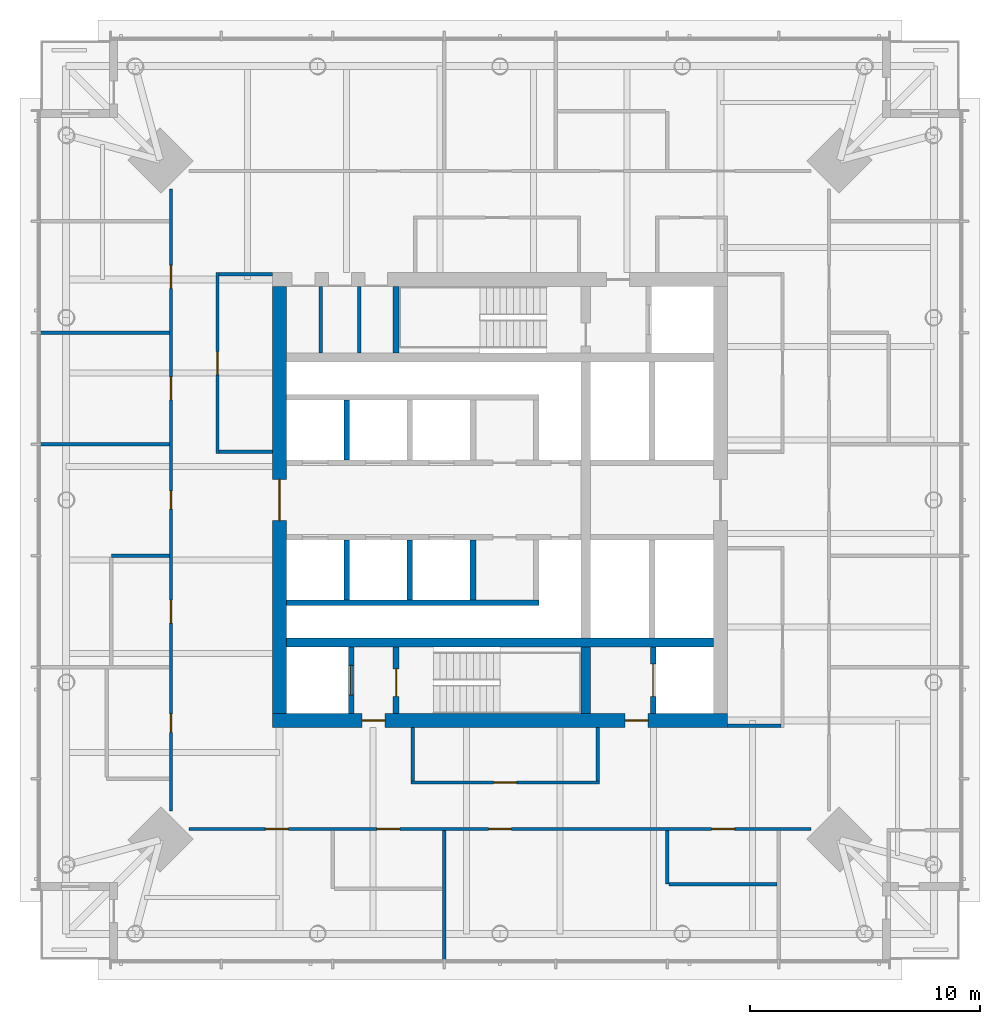
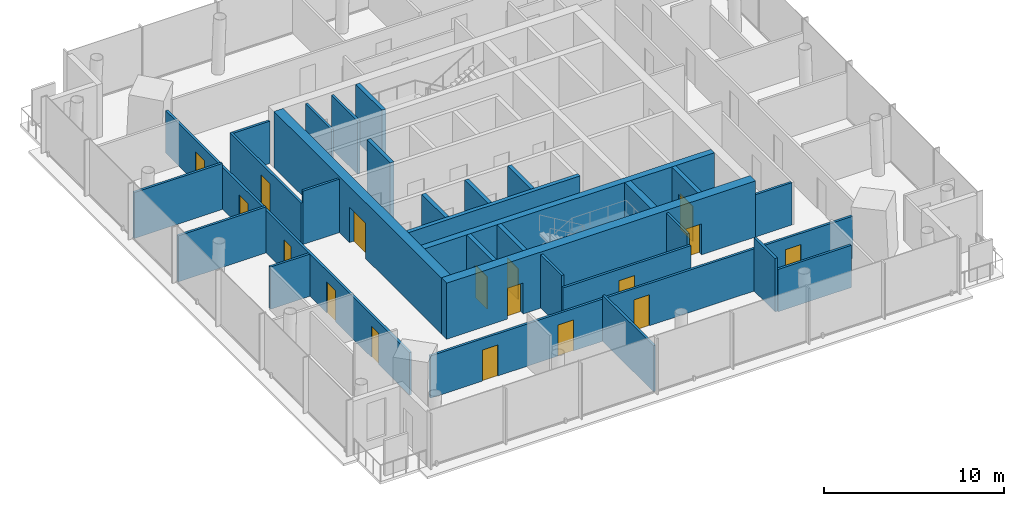
# One storey, part 4 of 10: 30 walls, 17 doors, 17 openings.
"""IFC4 building model written with IfcOpenShell, lengths in metres."""

from ifc_helpers import new_model, si_unit, direction, frame, frame_2d, origin, place, context, subcontext, project, spatial, rectangle, extrude, material, layer, layer_set, type_object, element, fill, save


model = new_model("IFC4")

# Units and contexts
model_context = context("Model", 3, precision=1e-05, world=origin(), true_north=direction((0.0, 1.0)))
body_context = subcontext(model_context, "Body", "Model", "MODEL_VIEW")
ifc_project = project(units=[si_unit("LENGTHUNIT", "METRE"), si_unit("AREAUNIT", "SQUARE_METRE"), si_unit("VOLUMEUNIT", "CUBIC_METRE"), si_unit("PLANEANGLEUNIT", "RADIAN"), si_unit("MASSUNIT", "GRAM", prefix="KILO")], contexts=[model_context])

# Site, building, storey
site_placement = place(None, origin())
site = spatial("IfcSite", under=ifc_project, at=site_placement, CompositionType="ELEMENT")
building_placement = place(site_placement, origin())
building = spatial("IfcBuilding", under=site, at=building_placement, Name="Ostroluk Exchange", CompositionType="ELEMENT")
storey_placement = place(building_placement, frame((0.0, 0.0, 180.60009765625)))
storey = spatial("IfcBuildingStorey", under=building, at=storey_placement, Name="L46", CompositionType="ELEMENT", Elevation=180.60009765625)

# Walls
ifc_material_1 = material(Name="Concrete blockwork", Category="masonry")
ifc_layer_1 = layer(ifc_material_1, 0.14990234375)
ifc_layer_set_1 = layer_set([ifc_layer_1], Name="Blockwork plant room wall 150")
wall_type_1 = type_object("IfcWallType", Name="Blockwork plant room wall 150", PredefinedType="SOLIDWALL", material=ifc_layer_set_1)
for number, where, z_axis, x_axis, name in (
    (1, (37.18798828125, 52.39990234375, 0.0), (0.0, 0.0, 1.0), (0.0, 1.0, 0.0), "Core room wall"),
    (2, (38.862060546875, 52.39990234375, 0.0), (0.0, 0.0, 1.0), (0.0, 1.0, 0.0), "Core room wall"),
):
    element("IfcWall", number, at=place(storey_placement, frame(where, z_axis=z_axis, x_axis=x_axis)), inside=storey, type_object=wall_type_1, Name=name, PredefinedType="SOLIDWALL", context=body_context, shape_type="SweptSolid", body=[
        extrude(rectangle(XDim=2.900146484375, YDim=0.14990234375, at=frame_2d((1.4501953125, 0.0))), origin(), (0.0, 0.0, 1.0), 3.619873046875),
    ])
ifc_material_2 = material(Name="Concrete C50/60", Category="concrete")
ifc_layer_2 = layer(ifc_material_2, 0.39990234375)
ifc_layer_set_2 = layer_set([ifc_layer_2], Name="Core cross wall 400 C50/60")
wall_type_2 = type_object("IfcWallType", Name="Core cross wall 400 C50/60", PredefinedType="SHEAR", material=ifc_layer_set_2)
wall_1_placement = place(storey_placement, frame((35.699951171875, 39.800048828125, 0.0), z_axis=(0.0, 0.0, 1.0), x_axis=(1.0, 0.0, 0.0)))
element("IfcWall", 3, at=wall_1_placement, inside=storey, type_object=wall_type_2, Name="T1 core wall XS", PredefinedType="SHEAR", context=body_context, shape_type="SweptSolid", body=[
    extrude(rectangle(XDim=18.60009765625, YDim=0.39990234375, at=frame_2d((9.300048828125, 0.0))), origin(), (0.0, 0.0, 1.0), 3.7998046875),
])
wall_2_placement = place(storey_placement, frame((48.72998046875, 36.699951171875, 0.0), z_axis=(0.0, 0.0, 1.0), x_axis=(0.0, 1.0, 0.0)))
element("IfcWall", 4, at=wall_2_placement, inside=storey, type_object=wall_type_2, Name="T1 core wall YE1", PredefinedType="SHEAR", context=body_context, shape_type="SweptSolid", body=[
    extrude(rectangle(XDim=2.900146484375, YDim=0.39990234375, at=frame_2d((1.4501953125, 0.0))), origin(), (0.0, 0.0, 1.0), 3.7998046875),
])

# Wall, opening, door
ifc_material_3 = material(Name="Concrete C40/50", Category="concrete")
ifc_layer_3 = layer(ifc_material_3, 0.25)
ifc_layer_set_3 = layer_set([ifc_layer_3], Name="Core shaft wall 250")
wall_type_3 = type_object("IfcWallType", Name="Core shaft wall 250", PredefinedType="SHEAR", material=ifc_layer_set_3)
wall_3_placement = place(storey_placement, frame((38.52490234375, 36.699951171875, 0.0), z_axis=(0.0, 0.0, 1.0), x_axis=(0.0, 1.0, 0.0)))
wall_3 = element("IfcWall", 5, at=wall_3_placement, inside=storey, type_object=wall_type_3, Name="Firefighting lift shaft wall", PredefinedType="SHEAR", context=body_context, shape_type="SweptSolid", body=[
    extrude(rectangle(XDim=2.900146484375, YDim=0.25, at=frame_2d((1.4501953125, 0.0))), origin(), (0.0, 0.0, 1.0), 3.7998046875),
])
opening_1_placement = place(wall_3_placement, frame((0.800048828125, 0.0, 0.0)))
opening_1 = element("IfcOpeningElement", 6, at=opening_1_placement, cuts=wall_3, Name="Opening LD2", PredefinedType="OPENING", context=body_context, shape_type="SweptSolid", body=[
    extrude(rectangle(XDim=1.300048828125, YDim=2.199951171875, at=frame_2d((0.64990234375, 1.10009765625))), frame((0.0, 0.135009765625, 0.0), z_axis=(0.0, -1.0, 0.0), x_axis=(1.0, 0.0, 0.0)), (0.0, 0.0, 1.0), 0.27001953125),
])
ifc_material_4 = material(Name="Stainless steel", Category="steel")
door_type_1 = type_object("IfcDoorType", Name="Lift landing door E 60 1300 x 2200", OperationType="DOUBLE_DOOR_SLIDING", PredefinedType="DOOR", material=ifc_material_4)
door_1_placement = place(opening_1_placement, origin())
door_1 = element("IfcDoor", 7, at=door_1_placement, inside=storey, type_object=door_type_1, Name="Lift FL1 landing door", OperationType="DOUBLE_DOOR_SLIDING", OverallHeight=2.199951171875, OverallWidth=1.300048828125, PredefinedType="DOOR", context=body_context, shape_type="SweptSolid", body=[
    extrude(rectangle(XDim=1.300048828125, YDim=2.199951171875, at=frame_2d((0.64990234375, 1.10009765625))), frame((0.0, 0.02490234375, 0.0), z_axis=(0.0, -1.0, 0.0), x_axis=(1.0, 0.0, 0.0)), (0.0, 0.0, 1.0), 0.050048828125),
])
fill(opening_1, door_1)

wall_4_placement = place(storey_placement, frame((40.47509765625, 36.699951171875, 0.0), z_axis=(0.0, 0.0, 1.0), x_axis=(0.0, 1.0, 0.0)))
wall_4 = element("IfcWall", 8, at=wall_4_placement, inside=storey, type_object=wall_type_3, Name="Stair shaft wall", PredefinedType="SHEAR", context=body_context, shape_type="SweptSolid", body=[
    extrude(rectangle(XDim=2.900146484375, YDim=0.25, at=frame_2d((1.4501953125, 0.0))), origin(), (0.0, 0.0, 1.0), 3.7998046875),
])
opening_2_placement = place(wall_4_placement, frame((0.75, 0.0, 0.0)))
opening_2 = element("IfcOpeningElement", 9, at=opening_2_placement, cuts=wall_4, Name="Opening FD60S", PredefinedType="OPENING", context=body_context, shape_type="SweptSolid", body=[
    extrude(rectangle(XDim=1.199951171875, YDim=2.10009765625, at=frame_2d((0.60009765625, 1.050048828125))), frame((0.0, 0.135009765625, 0.0), z_axis=(0.0, -1.0, 0.0), x_axis=(1.0, 0.0, 0.0)), (0.0, 0.0, 1.0), 0.27001953125),
])
ifc_material_5 = material(Name="Steel", Category="steel")
door_type_2 = type_object("IfcDoorType", Name="Stair door EI 60 1200 x 2100", OperationType="SINGLE_SWING_LEFT", PredefinedType="DOOR", material=ifc_material_5)
door_2_placement = place(opening_2_placement, origin())
door_2 = element("IfcDoor", 10, at=door_2_placement, inside=storey, type_object=door_type_2, Name="Stair T1-S1 door", OperationType="SINGLE_SWING_LEFT", OverallHeight=2.10009765625, OverallWidth=1.199951171875, PredefinedType="DOOR", context=body_context, shape_type="SweptSolid", body=[
    extrude(rectangle(XDim=1.199951171875, YDim=2.10009765625, at=frame_2d((0.60009765625, 1.050048828125))), frame((0.0, 0.02490234375, 0.0), z_axis=(0.0, -1.0, 0.0), x_axis=(1.0, 0.0, 0.0)), (0.0, 0.0, 1.0), 0.050048828125),
])
fill(opening_2, door_2)

wall_5_placement = place(storey_placement, frame((51.675048828125, 36.699951171875, 0.0), z_axis=(0.0, 0.0, 1.0), x_axis=(0.0, 1.0, 0.0)))
wall_5 = element("IfcWall", 11, at=wall_5_placement, inside=storey, type_object=wall_type_3, Name="Service lift shaft wall", PredefinedType="SHEAR", context=body_context, shape_type="SweptSolid", body=[
    extrude(rectangle(XDim=2.900146484375, YDim=0.25, at=frame_2d((1.4501953125, 0.0))), origin(), (0.0, 0.0, 1.0), 3.7998046875),
])
opening_3_placement = place(wall_5_placement, frame((0.75, 0.0, 0.0)))
opening_3 = element("IfcOpeningElement", 12, at=opening_3_placement, cuts=wall_5, Name="Opening LD3", PredefinedType="OPENING", context=body_context, shape_type="SweptSolid", body=[
    extrude(rectangle(XDim=1.39990234375, YDim=2.39990234375, at=frame_2d((0.699951171875, 1.199951171875))), frame((0.0, 0.135009765625, 0.0), z_axis=(0.0, -1.0, 0.0), x_axis=(1.0, 0.0, 0.0)), (0.0, 0.0, 1.0), 0.27001953125),
])
ifc_material_6 = material(Name="Stainless steel", Category="steel")
door_type_3 = type_object("IfcDoorType", Name="Goods lift landing door E 60 1400 x 2400", OperationType="DOUBLE_DOOR_SLIDING", PredefinedType="DOOR", material=ifc_material_6)
door_3_placement = place(opening_3_placement, origin())
door_3 = element("IfcDoor", 13, at=door_3_placement, inside=storey, type_object=door_type_3, Name="Lift SL1 landing door", OperationType="DOUBLE_DOOR_SLIDING", OverallHeight=2.39990234375, OverallWidth=1.39990234375, PredefinedType="DOOR", context=body_context, shape_type="SweptSolid", body=[
    extrude(rectangle(XDim=1.39990234375, YDim=2.39990234375, at=frame_2d((0.699951171875, 1.199951171875))), frame((0.0, 0.02490234375, 0.0), z_axis=(0.0, -1.0, 0.0), x_axis=(1.0, 0.0, 0.0)), (0.0, 0.0, 1.0), 0.050048828125),
])
fill(opening_3, door_3)

# Walls
wall_6_placement = place(storey_placement, frame((40.47509765625, 52.39990234375, 0.0), z_axis=(0.0, 0.0, 1.0), x_axis=(0.0, 1.0, 0.0)))
element("IfcWall", 14, at=wall_6_placement, inside=storey, type_object=wall_type_3, Name="Stair shaft wall", PredefinedType="SHEAR", context=body_context, shape_type="SweptSolid", body=[
    extrude(rectangle(XDim=2.900146484375, YDim=0.25, at=frame_2d((1.4501953125, 0.0))), origin(), (0.0, 0.0, 1.0), 3.7998046875),
])
for number, where, z_axis, x_axis, name in (
    (15, (38.324951171875, 47.75, 0.0), (0.0, 0.0, 1.0), (0.0, 1.0, 0.0), "Lift shaft wall"),
    (16, (38.324951171875, 44.25, 0.0), (0.0, 0.0, 1.0), (0.0, -1.0, 0.0), "Lift shaft wall"),
    (17, (41.074951171875, 44.25, 0.0), (0.0, 0.0, 1.0), (0.0, -1.0, 0.0), "Lift shaft wall"),
    (18, (43.824951171875, 44.25, 0.0), (0.0, 0.0, 1.0), (0.0, -1.0, 0.0), "Lift shaft wall"),
):
    element("IfcWall", number, at=place(storey_placement, frame(where, z_axis=z_axis, x_axis=x_axis)), inside=storey, type_object=wall_type_3, Name=name, PredefinedType="SHEAR", context=body_context, shape_type="SweptSolid", body=[
        extrude(rectangle(XDim=2.60009765625, YDim=0.25, at=frame_2d((1.300048828125, 0.0))), origin(), (0.0, 0.0, 1.0), 3.7998046875),
    ])
wall_7_placement = place(storey_placement, frame((35.699951171875, 41.52490234375, 0.0), z_axis=(0.0, 0.0, 1.0), x_axis=(1.0, 0.0, 0.0)))
element("IfcWall", 19, at=wall_7_placement, inside=storey, type_object=wall_type_3, Name="Lift shaft wall", PredefinedType="SHEAR", context=body_context, shape_type="SweptSolid", body=[
    extrude(rectangle(XDim=11.0, YDim=0.25, at=frame_2d((5.5, 0.0))), origin(), (0.0, 0.0, 1.0), 3.7998046875),
])

# Wall, openings, doors
ifc_material_7 = material(Name="Concrete C50/60", Category="concrete")
ifc_layer_4 = layer(ifc_material_7, 0.60009765625)
ifc_layer_set_4 = layer_set([ifc_layer_4], Name="Core wall 600 C50/60")
wall_type_4 = type_object("IfcWallType", Name="Core wall 600 C50/60", PredefinedType="SHEAR", material=ifc_layer_set_4)
wall_8_placement = place(storey_placement, frame((35.10009765625, 36.39990234375, 0.0), z_axis=(0.0, 0.0, 1.0), x_axis=(1.0, 0.0, 0.0)))
wall_8 = element("IfcWall", 20, at=wall_8_placement, inside=storey, type_object=wall_type_4, Name="T1 core wall S", PredefinedType="SHEAR", context=body_context, shape_type="SweptSolid", body=[
    extrude(rectangle(XDim=19.7998046875, YDim=0.60009765625, at=frame_2d((9.89990234375, 0.0))), origin(), (0.0, 0.0, 1.0), 3.7998046875),
])
opening_4_placement = place(wall_8_placement, frame((3.89990234375, 0.0, 0.0)))
opening_4 = element("IfcOpeningElement", 21, at=opening_4_placement, cuts=wall_8, Name="Opening FD60", PredefinedType="OPENING", context=body_context, shape_type="SweptSolid", body=[
    extrude(rectangle(XDim=1.0, YDim=2.10009765625, at=frame_2d((0.5, 1.050048828125))), frame((0.0, 0.31005859375, 0.0), z_axis=(0.0, -1.0, 0.0), x_axis=(1.0, 0.0, 0.0)), (0.0, 0.0, 1.0), 0.6201171875),
])
opening_5_placement = place(wall_8_placement, frame((15.35009765625, 0.0, 0.0)))
opening_5 = element("IfcOpeningElement", 22, at=opening_5_placement, cuts=wall_8, Name="Opening FD60", PredefinedType="OPENING", context=body_context, shape_type="SweptSolid", body=[
    extrude(rectangle(XDim=1.0, YDim=2.10009765625, at=frame_2d((0.5, 1.050048828125))), frame((0.0, 0.31005859375, 0.0), z_axis=(0.0, -1.0, 0.0), x_axis=(1.0, 0.0, 0.0)), (0.0, 0.0, 1.0), 0.6201171875),
])
ifc_material_8 = material(Name="Steel", Category="steel")
door_type_4 = type_object("IfcDoorType", Name="Fire door EI 60 1000 x 2100", OperationType="SINGLE_SWING_LEFT", PredefinedType="DOOR", material=ifc_material_8)
door_4_placement = place(opening_4_placement, origin())
door_4 = element("IfcDoor", 23, at=door_4_placement, inside=storey, type_object=door_type_4, Name="Firefighting lobby door", OperationType="SINGLE_SWING_LEFT", OverallHeight=2.10009765625, OverallWidth=1.0, PredefinedType="DOOR", context=body_context, shape_type="SweptSolid", body=[
    extrude(rectangle(XDim=1.0, YDim=2.10009765625, at=frame_2d((0.5, 1.050048828125))), frame((0.0, 0.02490234375, 0.0), z_axis=(0.0, -1.0, 0.0), x_axis=(1.0, 0.0, 0.0)), (0.0, 0.0, 1.0), 0.050048828125),
])
fill(opening_4, door_4)
door_5_placement = place(opening_5_placement, origin())
door_5 = element("IfcDoor", 24, at=door_5_placement, inside=storey, type_object=door_type_4, Name="Service lobby door", OperationType="SINGLE_SWING_RIGHT", OverallHeight=2.10009765625, OverallWidth=1.0, PredefinedType="DOOR", context=body_context, shape_type="SweptSolid", body=[
    extrude(rectangle(XDim=1.0, YDim=2.10009765625, at=frame_2d((0.5, 1.050048828125))), frame((0.0, 0.02490234375, 0.0), z_axis=(0.0, -1.0, 0.0), x_axis=(1.0, 0.0, 0.0)), (0.0, 0.0, 1.0), 0.050048828125),
])
fill(opening_5, door_5)

# Wall, opening, door
wall_9_placement = place(storey_placement, frame((35.39990234375, 36.699951171875, 0.0), z_axis=(0.0, 0.0, 1.0), x_axis=(0.0, 1.0, 0.0)))
wall_9 = element("IfcWall", 25, at=wall_9_placement, inside=storey, type_object=wall_type_4, Name="T1 core wall W", PredefinedType="SHEAR", context=body_context, shape_type="SweptSolid", body=[
    extrude(rectangle(XDim=18.60009765625, YDim=0.60009765625, at=frame_2d((9.300048828125, 0.0))), origin(), (0.0, 0.0, 1.0), 3.7998046875),
])
opening_6_placement = place(wall_9_placement, frame((8.39990234375, 0.0, 0.0)))
opening_6 = element("IfcOpeningElement", 26, at=opening_6_placement, cuts=wall_9, Name="Opening FD30D", PredefinedType="OPENING", context=body_context, shape_type="SweptSolid", body=[
    extrude(rectangle(XDim=1.800048828125, YDim=2.39990234375, at=frame_2d((0.89990234375, 1.199951171875))), frame((0.0, 0.31005859375, 0.0), z_axis=(0.0, -1.0, 0.0), x_axis=(1.0, 0.0, 0.0)), (0.0, 0.0, 1.0), 0.6201171875),
])
ifc_material_9 = material(Name="Timber", Category="wood")
door_type_5 = type_object("IfcDoorType", Name="Lobby double door EI 30 1800 x 2400", OperationType="DOUBLE_DOOR_SINGLE_SWING", PredefinedType="DOOR", material=ifc_material_9)
door_6_placement = place(opening_6_placement, origin())
door_6 = element("IfcDoor", 27, at=door_6_placement, inside=storey, type_object=door_type_5, Name="Lift lobby doors", OperationType="DOUBLE_DOOR_SINGLE_SWING", OverallHeight=2.39990234375, OverallWidth=1.800048828125, PredefinedType="DOOR", context=body_context, shape_type="SweptSolid", body=[
    extrude(rectangle(XDim=1.800048828125, YDim=2.39990234375, at=frame_2d((0.89990234375, 1.199951171875))), frame((0.0, 0.02490234375, 0.0), z_axis=(0.0, -1.0, 0.0), x_axis=(1.0, 0.0, 0.0)), (0.0, 0.0, 1.0), 0.050048828125),
])
fill(opening_6, door_6)

# Wall
ifc_material_10 = material(Name="Gypsum plasterboard partition", Category="gypsum")
ifc_layer_5 = layer(ifc_material_10, 0.14990234375)
ifc_layer_set_5 = layer_set([ifc_layer_5], Name="Plasterboard partition 150")
wall_type_5 = type_object("IfcWallType", Name="Plasterboard partition 150", PredefinedType="PARTITIONING", material=ifc_layer_set_5)
wall_10_placement = place(storey_placement, frame((54.89990234375, 36.175048828125, 0.0), z_axis=(0.0, 0.0, 1.0), x_axis=(1.0, 0.0, 0.0)))
element("IfcWall", 28, at=wall_10_placement, inside=storey, type_object=wall_type_5, Name="Partition", PredefinedType="PARTITIONING", context=body_context, shape_type="SweptSolid", body=[
    extrude(rectangle(XDim=2.3251953125, YDim=0.14990234375, at=frame_2d((1.16259765625, 0.0))), origin(), (0.0, 0.0, 1.0), 2.866943359375),
])

# Wall, opening, door
wall_11_placement = place(storey_placement, frame((32.699951171875, 55.89990234375, 0.0), z_axis=(0.0, 0.0, 1.0), x_axis=(0.0, -1.0, 0.0)))
wall_11 = element("IfcWall", 29, at=wall_11_placement, inside=storey, type_object=wall_type_5, Name="Partition", PredefinedType="PARTITIONING", context=body_context, shape_type="SweptSolid", body=[
    extrude(rectangle(XDim=7.875, YDim=0.14990234375, at=frame_2d((3.9375, 0.0))), origin(), (0.0, 0.0, 1.0), 2.866943359375),
])
opening_7_placement = place(wall_11_placement, frame((3.4375, 0.0, 0.0)))
opening_7 = element("IfcOpeningElement", 30, at=opening_7_placement, cuts=wall_11, Name="Opening D-03", PredefinedType="OPENING", context=body_context, shape_type="SweptSolid", body=[
    extrude(rectangle(XDim=1.0, YDim=2.10009765625, at=frame_2d((0.5, 1.050048828125))), frame((0.0, 0.0849609375, 0.0), z_axis=(0.0, -1.0, 0.0), x_axis=(1.0, 0.0, 0.0)), (0.0, 0.0, 1.0), 0.169921875),
])
ifc_material_11 = material(Name="Timber", Category="wood")
door_type_6 = type_object("IfcDoorType", Name="Internal door 1000 x 2100", OperationType="SINGLE_SWING_LEFT", PredefinedType="DOOR", material=ifc_material_11)
door_7_placement = place(opening_7_placement, origin())
door_7 = element("IfcDoor", 31, at=door_7_placement, inside=storey, type_object=door_type_6, Name="Staff room door", OperationType="SINGLE_SWING_LEFT", OverallHeight=2.10009765625, OverallWidth=1.0, PredefinedType="DOOR", context=body_context, shape_type="SweptSolid", body=[
    extrude(rectangle(XDim=1.0, YDim=2.10009765625, at=frame_2d((0.5, 1.050048828125))), frame((0.0, 0.02490234375, 0.0), z_axis=(0.0, -1.0, 0.0), x_axis=(1.0, 0.0, 0.0)), (0.0, 0.0, 1.0), 0.050048828125),
])
fill(opening_7, door_7)

# Walls
wall_12_placement = place(storey_placement, frame((35.10009765625, 55.824951171875, 0.0), z_axis=(0.0, 0.0, 1.0), x_axis=(-1.0, 0.0, 0.0)))
element("IfcWall", 32, at=wall_12_placement, inside=storey, type_object=wall_type_5, Name="Partition", PredefinedType="PARTITIONING", context=body_context, shape_type="SweptSolid", body=[
    extrude(rectangle(XDim=2.3251953125, YDim=0.14990234375, at=frame_2d((1.16259765625, 0.0))), origin(), (0.0, 0.0, 1.0), 2.866943359375),
])
wall_13_placement = place(storey_placement, frame((35.10009765625, 48.10009765625, 0.0), z_axis=(0.0, 0.0, 1.0), x_axis=(-1.0, 0.0, 0.0)))
element("IfcWall", 33, at=wall_13_placement, inside=storey, type_object=wall_type_5, Name="Partition", PredefinedType="PARTITIONING", context=body_context, shape_type="SweptSolid", body=[
    extrude(rectangle(XDim=2.3251953125, YDim=0.14990234375, at=frame_2d((1.16259765625, 0.0))), origin(), (0.0, 0.0, 1.0), 3.619873046875),
])

# Wall, opening, door
wall_14_placement = place(storey_placement, frame((41.125, 33.699951171875, 0.0), z_axis=(0.0, 0.0, 1.0), x_axis=(1.0, 0.0, 0.0)))
wall_14 = element("IfcWall", 34, at=wall_14_placement, inside=storey, type_object=wall_type_5, Name="Partition", PredefinedType="PARTITIONING", context=body_context, shape_type="SweptSolid", body=[
    extrude(rectangle(XDim=8.199951171875, YDim=0.14990234375, at=frame_2d((4.10009765625, 0.0))), origin(), (0.0, 0.0, 1.0), 2.866943359375),
])
opening_8_placement = place(wall_14_placement, frame((3.60009765625, 0.0, 0.0)))
opening_8 = element("IfcOpeningElement", 35, at=opening_8_placement, cuts=wall_14, Name="Opening D-03", PredefinedType="OPENING", context=body_context, shape_type="SweptSolid", body=[
    extrude(rectangle(XDim=1.0, YDim=2.10009765625, at=frame_2d((0.5, 1.050048828125))), frame((0.0, 0.0849609375, 0.0), z_axis=(0.0, -1.0, 0.0), x_axis=(1.0, 0.0, 0.0)), (0.0, 0.0, 1.0), 0.169921875),
])
door_8_placement = place(opening_8_placement, origin())
door_8 = element("IfcDoor", 36, at=door_8_placement, inside=storey, type_object=door_type_6, Name="Staff room door", OperationType="SINGLE_SWING_LEFT", OverallHeight=2.10009765625, OverallWidth=1.0, PredefinedType="DOOR", context=body_context, shape_type="SweptSolid", body=[
    extrude(rectangle(XDim=1.0, YDim=2.10009765625, at=frame_2d((0.5, 1.050048828125))), frame((0.0, 0.02490234375, 0.0), z_axis=(0.0, -1.0, 0.0), x_axis=(1.0, 0.0, 0.0)), (0.0, 0.0, 1.0), 0.050048828125),
])
fill(opening_8, door_8)

# Walls
for number, where, z_axis, x_axis, name in (
    (37, (41.199951171875, 36.10009765625, 0.0), (0.0, 0.0, 1.0), (0.0, -1.0, 0.0), "Partition"),
    (38, (49.25, 36.10009765625, 0.0), (0.0, 0.0, 1.0), (0.0, -1.0, 0.0), "Partition"),
):
    element("IfcWall", number, at=place(storey_placement, frame(where, z_axis=z_axis, x_axis=x_axis)), inside=storey, type_object=wall_type_5, Name=name, PredefinedType="PARTITIONING", context=body_context, shape_type="SweptSolid", body=[
        extrude(rectangle(XDim=2.3251953125, YDim=0.14990234375, at=frame_2d((1.16259765625, 0.0))), origin(), (0.0, 0.0, 1.0), 3.619873046875),
    ])

# Wall, openings, doors
wall_15_placement = place(storey_placement, frame((30.675048828125, 59.54296875, 0.0), z_axis=(0.0, 0.0, 1.0), x_axis=(0.0, -1.0, 0.0)))
wall_15 = element("IfcWall", 39, at=wall_15_placement, inside=storey, type_object=wall_type_5, Name="Partition", PredefinedType="PARTITIONING", context=body_context, shape_type="SweptSolid", body=[
    extrude(rectangle(XDim=27.0859375, YDim=0.14990234375, at=frame_2d((13.54296875, 0.0))), origin(), (0.0, 0.0, 1.0), 2.866943359375),
])
opening_9_placement = place(wall_15_placement, frame((3.32861328125, 0.0, 0.0)))
opening_9 = element("IfcOpeningElement", 40, at=opening_9_placement, cuts=wall_15, Name="Opening D-03", PredefinedType="OPENING", context=body_context, shape_type="SweptSolid", body=[
    extrude(rectangle(XDim=1.0, YDim=2.10009765625, at=frame_2d((0.5, 1.050048828125))), frame((0.0, 0.0849609375, 0.0), z_axis=(0.0, -1.0, 0.0), x_axis=(1.0, 0.0, 0.0)), (0.0, 0.0, 1.0), 0.169921875),
])
opening_10_placement = place(wall_15_placement, frame((8.185791015625, 0.0, 0.0)))
opening_10 = element("IfcOpeningElement", 41, at=opening_10_placement, cuts=wall_15, Name="Opening D-03", PredefinedType="OPENING", context=body_context, shape_type="SweptSolid", body=[
    extrude(rectangle(XDim=1.0, YDim=2.10009765625, at=frame_2d((0.5, 1.050048828125))), frame((0.0, 0.0849609375, 0.0), z_axis=(0.0, -1.0, 0.0), x_axis=(1.0, 0.0, 0.0)), (0.0, 0.0, 1.0), 0.169921875),
])
opening_11_placement = place(wall_15_placement, frame((13.142822265625, 0.0, 0.0)))
opening_11 = element("IfcOpeningElement", 42, at=opening_11_placement, cuts=wall_15, Name="Opening D-06", PredefinedType="OPENING", context=body_context, shape_type="SweptSolid", body=[
    extrude(rectangle(XDim=0.800048828125, YDim=2.10009765625, at=frame_2d((0.39990234375, 1.050048828125))), frame((0.0, 0.0849609375, 0.0), z_axis=(0.0, -1.0, 0.0), x_axis=(1.0, 0.0, 0.0)), (0.0, 0.0, 1.0), 0.169921875),
])
opening_12_placement = place(wall_15_placement, frame((17.900146484375, 0.0, 0.0)))
opening_12 = element("IfcOpeningElement", 43, at=opening_12_placement, cuts=wall_15, Name="Opening D-03", PredefinedType="OPENING", context=body_context, shape_type="SweptSolid", body=[
    extrude(rectangle(XDim=1.0, YDim=2.10009765625, at=frame_2d((0.5, 1.050048828125))), frame((0.0, 0.0849609375, 0.0), z_axis=(0.0, -1.0, 0.0), x_axis=(1.0, 0.0, 0.0)), (0.0, 0.0, 1.0), 0.169921875),
])
opening_13_placement = place(wall_15_placement, frame((22.857177734375, 0.0, 0.0)))
opening_13 = element("IfcOpeningElement", 44, at=opening_13_placement, cuts=wall_15, Name="Opening D-06", PredefinedType="OPENING", context=body_context, shape_type="SweptSolid", body=[
    extrude(rectangle(XDim=0.800048828125, YDim=2.10009765625, at=frame_2d((0.39990234375, 1.050048828125))), frame((0.0, 0.0849609375, 0.0), z_axis=(0.0, -1.0, 0.0), x_axis=(1.0, 0.0, 0.0)), (0.0, 0.0, 1.0), 0.169921875),
])
door_9_placement = place(opening_9_placement, origin())
door_9 = element("IfcDoor", 45, at=door_9_placement, inside=storey, type_object=door_type_6, Name="Office door", OperationType="SINGLE_SWING_LEFT", OverallHeight=2.10009765625, OverallWidth=1.0, PredefinedType="DOOR", context=body_context, shape_type="SweptSolid", body=[
    extrude(rectangle(XDim=1.0, YDim=2.10009765625, at=frame_2d((0.5, 1.050048828125))), frame((0.0, 0.02490234375, 0.0), z_axis=(0.0, -1.0, 0.0), x_axis=(1.0, 0.0, 0.0)), (0.0, 0.0, 1.0), 0.050048828125),
])
fill(opening_9, door_9)
door_10_placement = place(opening_10_placement, origin())
door_10 = element("IfcDoor", 46, at=door_10_placement, inside=storey, type_object=door_type_6, Name="Office door", OperationType="SINGLE_SWING_LEFT", OverallHeight=2.10009765625, OverallWidth=1.0, PredefinedType="DOOR", context=body_context, shape_type="SweptSolid", body=[
    extrude(rectangle(XDim=1.0, YDim=2.10009765625, at=frame_2d((0.5, 1.050048828125))), frame((0.0, 0.02490234375, 0.0), z_axis=(0.0, -1.0, 0.0), x_axis=(1.0, 0.0, 0.0)), (0.0, 0.0, 1.0), 0.050048828125),
])
fill(opening_10, door_10)
door_11_placement = place(opening_12_placement, origin())
door_11 = element("IfcDoor", 47, at=door_11_placement, inside=storey, type_object=door_type_6, Name="Accessible WC door", OperationType="SINGLE_SWING_RIGHT", OverallHeight=2.10009765625, OverallWidth=1.0, PredefinedType="DOOR", context=body_context, shape_type="SweptSolid", body=[
    extrude(rectangle(XDim=1.0, YDim=2.10009765625, at=frame_2d((0.5, 1.050048828125))), frame((0.0, 0.02490234375, 0.0), z_axis=(0.0, -1.0, 0.0), x_axis=(1.0, 0.0, 0.0)), (0.0, 0.0, 1.0), 0.050048828125),
])
fill(opening_12, door_11)
ifc_material_12 = material(Name="Timber", Category="wood")
door_type_7 = type_object("IfcDoorType", Name="Toilet door 800 x 2100", OperationType="SINGLE_SWING_LEFT", PredefinedType="DOOR", material=ifc_material_12)
door_12_placement = place(opening_11_placement, origin())
door_12 = element("IfcDoor", 48, at=door_12_placement, inside=storey, type_object=door_type_7, Name="WC female door", OperationType="SINGLE_SWING_LEFT", OverallHeight=2.10009765625, OverallWidth=0.800048828125, PredefinedType="DOOR", context=body_context, shape_type="SweptSolid", body=[
    extrude(rectangle(XDim=0.800048828125, YDim=2.10009765625, at=frame_2d((0.39990234375, 1.050048828125))), frame((0.0, 0.02490234375, 0.0), z_axis=(0.0, -1.0, 0.0), x_axis=(1.0, 0.0, 0.0)), (0.0, 0.0, 1.0), 0.050048828125),
])
fill(opening_11, door_12)
door_13_placement = place(opening_13_placement, origin())
door_13 = element("IfcDoor", 49, at=door_13_placement, inside=storey, type_object=door_type_7, Name="WC male door", OperationType="SINGLE_SWING_RIGHT", OverallHeight=2.10009765625, OverallWidth=0.800048828125, PredefinedType="DOOR", context=body_context, shape_type="SweptSolid", body=[
    extrude(rectangle(XDim=0.800048828125, YDim=2.10009765625, at=frame_2d((0.39990234375, 1.050048828125))), frame((0.0, 0.02490234375, 0.0), z_axis=(0.0, -1.0, 0.0), x_axis=(1.0, 0.0, 0.0)), (0.0, 0.0, 1.0), 0.050048828125),
])
fill(opening_13, door_13)

# Walls
for number, where, z_axis, x_axis, name in (
    (50, (30.60009765625, 53.28564453125, 0.0), (0.0, 0.0, 1.0), (-1.0, 0.0, 0.0), "Partition"),
    (51, (30.60009765625, 48.428466796875, 0.0), (0.0, 0.0, 1.0), (-1.0, 0.0, 0.0), "Partition"),
):
    element("IfcWall", number, at=place(storey_placement, frame(where, z_axis=z_axis, x_axis=x_axis)), inside=storey, type_object=wall_type_5, Name=name, PredefinedType="PARTITIONING", context=body_context, shape_type="SweptSolid", body=[
        extrude(rectangle(XDim=5.64013671875, YDim=0.14990234375, at=frame_2d((2.820068359375, 0.0))), origin(), (0.0, 0.0, 1.0), 3.119873046875),
    ])
wall_16_placement = place(storey_placement, frame((30.60009765625, 43.571533203125, 0.0), z_axis=(0.0, 0.0, 1.0), x_axis=(-1.0, 0.0, 0.0)))
element("IfcWall", 52, at=wall_16_placement, inside=storey, type_object=wall_type_5, Name="Partition", PredefinedType="PARTITIONING", context=body_context, shape_type="SweptSolid", body=[
    extrude(rectangle(XDim=2.525146484375, YDim=0.14990234375, at=frame_2d((1.2626953125, 0.0))), origin(), (0.0, 0.0, 1.0), 2.866943359375),
])
wall_17_placement = place(storey_placement, frame((52.360595703125, 29.27490234375, 0.0), z_axis=(0.0, 0.0, 1.0), x_axis=(1.0, 0.0, 0.0)))
element("IfcWall", 53, at=wall_17_placement, inside=storey, type_object=wall_type_5, Name="Partition", PredefinedType="PARTITIONING", context=body_context, shape_type="SweptSolid", body=[
    extrude(rectangle(XDim=4.707275390625, YDim=0.14990234375, at=frame_2d((2.353515625, 0.0))), origin(), (0.0, 0.0, 1.0), 2.866943359375),
])

# Wall, openings, doors
wall_18_placement = place(storey_placement, frame((31.45703125, 31.675048828125, 0.0), z_axis=(0.0, 0.0, 1.0), x_axis=(1.0, 0.0, 0.0)))
wall_18 = element("IfcWall", 54, at=wall_18_placement, inside=storey, type_object=wall_type_5, Name="Partition", PredefinedType="PARTITIONING", context=body_context, shape_type="SweptSolid", body=[
    extrude(rectangle(XDim=27.0859375, YDim=0.14990234375, at=frame_2d((13.54296875, 0.0))), origin(), (0.0, 0.0, 1.0), 2.866943359375),
])
opening_14_placement = place(wall_18_placement, frame((3.32861328125, 0.0, 0.0)))
opening_14 = element("IfcOpeningElement", 55, at=opening_14_placement, cuts=wall_18, Name="Opening D-03", PredefinedType="OPENING", context=body_context, shape_type="SweptSolid", body=[
    extrude(rectangle(XDim=1.0, YDim=2.10009765625, at=frame_2d((0.5, 1.050048828125))), frame((0.0, 0.0849609375, 0.0), z_axis=(0.0, -1.0, 0.0), x_axis=(1.0, 0.0, 0.0)), (0.0, 0.0, 1.0), 0.169921875),
])
opening_15_placement = place(wall_18_placement, frame((8.185791015625, 0.0, 0.0)))
opening_15 = element("IfcOpeningElement", 56, at=opening_15_placement, cuts=wall_18, Name="Opening D-03", PredefinedType="OPENING", context=body_context, shape_type="SweptSolid", body=[
    extrude(rectangle(XDim=1.0, YDim=2.10009765625, at=frame_2d((0.5, 1.050048828125))), frame((0.0, 0.0849609375, 0.0), z_axis=(0.0, -1.0, 0.0), x_axis=(1.0, 0.0, 0.0)), (0.0, 0.0, 1.0), 0.169921875),
])
opening_16_placement = place(wall_18_placement, frame((13.04296875, 0.0, 0.0)))
opening_16 = element("IfcOpeningElement", 57, at=opening_16_placement, cuts=wall_18, Name="Opening D-03", PredefinedType="OPENING", context=body_context, shape_type="SweptSolid", body=[
    extrude(rectangle(XDim=1.0, YDim=2.10009765625, at=frame_2d((0.5, 1.050048828125))), frame((0.0, 0.0849609375, 0.0), z_axis=(0.0, -1.0, 0.0), x_axis=(1.0, 0.0, 0.0)), (0.0, 0.0, 1.0), 0.169921875),
])
opening_17_placement = place(wall_18_placement, frame((22.75732421875, 0.0, 0.0)))
opening_17 = element("IfcOpeningElement", 58, at=opening_17_placement, cuts=wall_18, Name="Opening D-03", PredefinedType="OPENING", context=body_context, shape_type="SweptSolid", body=[
    extrude(rectangle(XDim=1.0, YDim=2.10009765625, at=frame_2d((0.5, 1.050048828125))), frame((0.0, 0.0849609375, 0.0), z_axis=(0.0, -1.0, 0.0), x_axis=(1.0, 0.0, 0.0)), (0.0, 0.0, 1.0), 0.169921875),
])
door_14_placement = place(opening_14_placement, origin())
door_14 = element("IfcDoor", 59, at=door_14_placement, inside=storey, type_object=door_type_6, Name="Office suite door", OperationType="SINGLE_SWING_LEFT", OverallHeight=2.10009765625, OverallWidth=1.0, PredefinedType="DOOR", context=body_context, shape_type="SweptSolid", body=[
    extrude(rectangle(XDim=1.0, YDim=2.10009765625, at=frame_2d((0.5, 1.050048828125))), frame((0.0, 0.02490234375, 0.0), z_axis=(0.0, -1.0, 0.0), x_axis=(1.0, 0.0, 0.0)), (0.0, 0.0, 1.0), 0.050048828125),
])
fill(opening_14, door_14)
door_15_placement = place(opening_15_placement, origin())
door_15 = element("IfcDoor", 60, at=door_15_placement, inside=storey, type_object=door_type_6, Name="Pantry door", OperationType="SINGLE_SWING_LEFT", OverallHeight=2.10009765625, OverallWidth=1.0, PredefinedType="DOOR", context=body_context, shape_type="SweptSolid", body=[
    extrude(rectangle(XDim=1.0, YDim=2.10009765625, at=frame_2d((0.5, 1.050048828125))), frame((0.0, 0.02490234375, 0.0), z_axis=(0.0, -1.0, 0.0), x_axis=(1.0, 0.0, 0.0)), (0.0, 0.0, 1.0), 0.050048828125),
])
fill(opening_15, door_15)
door_16_placement = place(opening_16_placement, origin())
door_16 = element("IfcDoor", 61, at=door_16_placement, inside=storey, type_object=door_type_6, Name="Office door", OperationType="SINGLE_SWING_LEFT", OverallHeight=2.10009765625, OverallWidth=1.0, PredefinedType="DOOR", context=body_context, shape_type="SweptSolid", body=[
    extrude(rectangle(XDim=1.0, YDim=2.10009765625, at=frame_2d((0.5, 1.050048828125))), frame((0.0, 0.02490234375, 0.0), z_axis=(0.0, -1.0, 0.0), x_axis=(1.0, 0.0, 0.0)), (0.0, 0.0, 1.0), 0.050048828125),
])
fill(opening_16, door_16)
door_17_placement = place(opening_17_placement, origin())
door_17 = element("IfcDoor", 62, at=door_17_placement, inside=storey, type_object=door_type_6, Name="Print and store room door", OperationType="SINGLE_SWING_RIGHT", OverallHeight=2.10009765625, OverallWidth=1.0, PredefinedType="DOOR", context=body_context, shape_type="SweptSolid", body=[
    extrude(rectangle(XDim=1.0, YDim=2.10009765625, at=frame_2d((0.5, 1.050048828125))), frame((0.0, 0.02490234375, 0.0), z_axis=(0.0, -1.0, 0.0), x_axis=(1.0, 0.0, 0.0)), (0.0, 0.0, 1.0), 0.050048828125),
])
fill(opening_17, door_17)

# Walls
wall_19_placement = place(storey_placement, frame((42.571533203125, 31.60009765625, 0.0), z_axis=(0.0, 0.0, 1.0), x_axis=(0.0, -1.0, 0.0)))
element("IfcWall", 63, at=wall_19_placement, inside=storey, type_object=wall_type_5, Name="Partition", PredefinedType="PARTITIONING", context=body_context, shape_type="SweptSolid", body=[
    extrude(rectangle(XDim=5.64013671875, YDim=0.14990234375, at=frame_2d((2.820068359375, 0.0))), origin(), (0.0, 0.0, 1.0), 3.119873046875),
])
wall_20_placement = place(storey_placement, frame((52.28564453125, 31.60009765625, 0.0), z_axis=(0.0, 0.0, 1.0), x_axis=(0.0, -1.0, 0.0)))
element("IfcWall", 64, at=wall_20_placement, inside=storey, type_object=wall_type_5, Name="Partition", PredefinedType="PARTITIONING", context=body_context, shape_type="SweptSolid", body=[
    extrude(rectangle(XDim=2.3251953125, YDim=0.14990234375, at=frame_2d((1.16259765625, 0.0))), origin(), (0.0, 0.0, 1.0), 3.619873046875),
])

save(model, "model.ifc")
